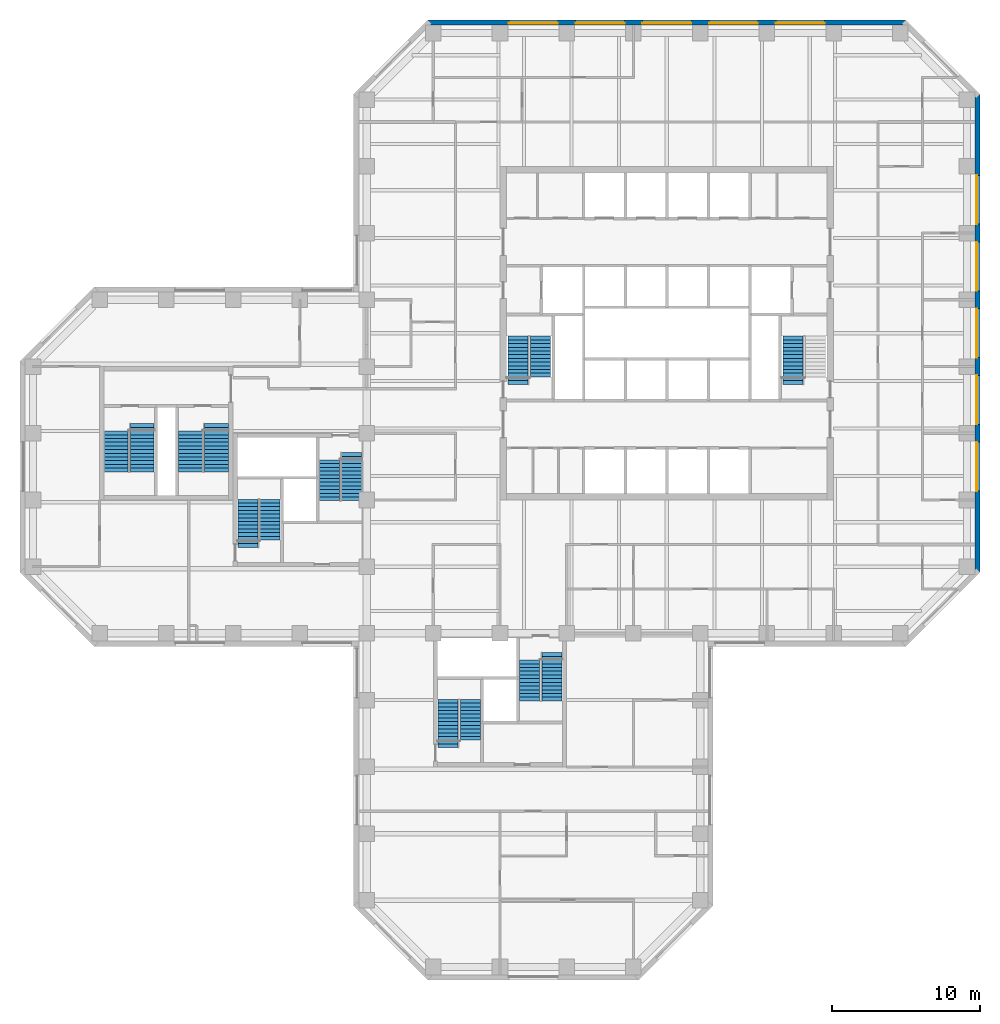
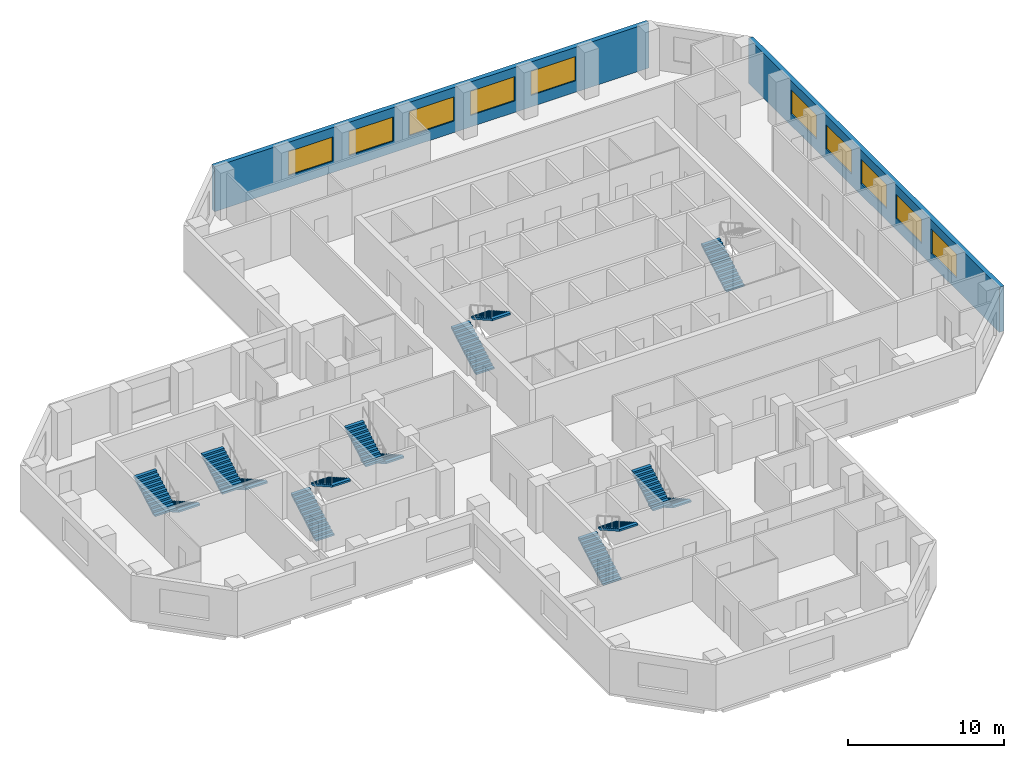
# One storey, part 9 of 11: 15 stair flights, 10 windows, 2 walls, 10 openings, 8 elements without a shape of their own.
"""IFC4 building model written with IfcOpenShell, lengths in metres."""

from ifc_helpers import new_model, si_unit, direction, frame, frame_2d, origin, place, context, subcontext, project, spatial, polyline, rectangle, outline, extrude, material, layer, layer_set, constituent, constituent_set, type_object, element, fill, aggregate, save


model = new_model("IFC4")

# Units and contexts
model_context = context("Model", 3, precision=1e-05, world=origin(), true_north=direction((0.0, 1.0)))
body_context = subcontext(model_context, "Body", "Model", "MODEL_VIEW")
ifc_project = project(units=[si_unit("LENGTHUNIT", "METRE"), si_unit("AREAUNIT", "SQUARE_METRE"), si_unit("VOLUMEUNIT", "CUBIC_METRE"), si_unit("PLANEANGLEUNIT", "RADIAN"), si_unit("MASSUNIT", "GRAM", prefix="KILO")], contexts=[model_context])

# Site, building, storey
site_placement = place(None, origin())
site = spatial("IfcSite", under=ifc_project, at=site_placement, CompositionType="ELEMENT")
building_placement = place(site_placement, origin())
building = spatial("IfcBuilding", under=site, at=building_placement, Name="Quoin Convention Tower", CompositionType="ELEMENT")
storey_placement = place(building_placement, frame((0.0, 0.0, 104.800048828125)))
storey = spatial("IfcBuildingStorey", under=building, at=storey_placement, Name="L27", CompositionType="ELEMENT", Elevation=104.800048828125)

# Wall, openings, windows
ifc_material_1 = material(Name="Brick masonry", Category="masonry")
ifc_layer = layer(ifc_material_1, 0.35009765625)
ifc_layer_set = layer_set([ifc_layer], Name="Brick masonry")
wall_type = type_object("IfcWallType", Name="Brick facade wall", PredefinedType="STANDARD", material=ifc_layer_set)
wall_1_placement = place(storey_placement, frame((77.199951171875, 44.6376953125, 0.0), z_axis=(0.0, 0.0, 1.0), x_axis=(0.0, 1.0, 0.0)))
wall_1 = element("IfcWall", 1, at=wall_1_placement, inside=storey, type_object=wall_type, Name="fw-L27-76500_45000", PredefinedType="STANDARD", context=body_context, shape_type="SweptSolid", body=[
    extrude(rectangle(XDim=32.224609375, YDim=0.35009765625, at=frame_2d((16.1123046875, 0.0))), origin(), (0.0, 0.0, 1.0), 3.52490234375),
])
opening_1_placement = place(wall_1_placement, frame((5.46240234375, 0.0, 0.89990234375)))
opening_1 = element("IfcOpeningElement", 2, at=opening_1_placement, cuts=wall_1, Name="Opening W-02", PredefinedType="OPENING", context=body_context, shape_type="SweptSolid", body=[
    extrude(rectangle(XDim=3.300048828125, YDim=1.89990234375, at=frame_2d((1.64990234375, 0.949951171875))), frame((0.0, 0.18505859375, 0.0), z_axis=(0.0, -1.0, 0.0), x_axis=(1.0, 0.0, 0.0)), (0.0, 0.0, 1.0), 0.3701171875),
])
opening_2_placement = place(wall_1_placement, frame((9.96240234375, 0.0, 0.89990234375)))
opening_2 = element("IfcOpeningElement", 3, at=opening_2_placement, cuts=wall_1, Name="Opening W-02", PredefinedType="OPENING", context=body_context, shape_type="SweptSolid", body=[
    extrude(rectangle(XDim=3.300048828125, YDim=1.89990234375, at=frame_2d((1.64990234375, 0.949951171875))), frame((0.0, 0.18505859375, 0.0), z_axis=(0.0, -1.0, 0.0), x_axis=(1.0, 0.0, 0.0)), (0.0, 0.0, 1.0), 0.3701171875),
])
opening_3_placement = place(wall_1_placement, frame((14.46240234375, 0.0, 0.89990234375)))
opening_3 = element("IfcOpeningElement", 4, at=opening_3_placement, cuts=wall_1, Name="Opening W-02", PredefinedType="OPENING", context=body_context, shape_type="SweptSolid", body=[
    extrude(rectangle(XDim=3.300048828125, YDim=1.89990234375, at=frame_2d((1.64990234375, 0.949951171875))), frame((0.0, 0.18505859375, 0.0), z_axis=(0.0, -1.0, 0.0), x_axis=(1.0, 0.0, 0.0)), (0.0, 0.0, 1.0), 0.3701171875),
])
opening_4_placement = place(wall_1_placement, frame((18.96240234375, 0.0, 0.89990234375)))
opening_4 = element("IfcOpeningElement", 5, at=opening_4_placement, cuts=wall_1, Name="Opening W-02", PredefinedType="OPENING", context=body_context, shape_type="SweptSolid", body=[
    extrude(rectangle(XDim=3.300048828125, YDim=1.89990234375, at=frame_2d((1.64990234375, 0.949951171875))), frame((0.0, 0.18505859375, 0.0), z_axis=(0.0, -1.0, 0.0), x_axis=(1.0, 0.0, 0.0)), (0.0, 0.0, 1.0), 0.3701171875),
])
opening_5_placement = place(wall_1_placement, frame((23.46240234375, 0.0, 0.89990234375)))
opening_5 = element("IfcOpeningElement", 6, at=opening_5_placement, cuts=wall_1, Name="Opening W-02", PredefinedType="OPENING", context=body_context, shape_type="SweptSolid", body=[
    extrude(rectangle(XDim=3.300048828125, YDim=1.89990234375, at=frame_2d((1.64990234375, 0.949951171875))), frame((0.0, 0.18505859375, 0.0), z_axis=(0.0, -1.0, 0.0), x_axis=(1.0, 0.0, 0.0)), (0.0, 0.0, 1.0), 0.3701171875),
])
ifc_material_2 = material(Name="Aluminium", Category="aluminium")
ifc_constituent_1 = constituent(ifc_material_2, Name="Frame")
ifc_material_3 = material(Name="Insulated glass", Category="glass")
ifc_constituent_2 = constituent(ifc_material_3, Name="Glazing")
ifc_constituent_set = constituent_set(constituents=[ifc_constituent_1, ifc_constituent_2], Name="Aluminium")
window_type = type_object("IfcWindowType", Name="Office window", PartitioningType="DOUBLE_PANEL_VERTICAL", PredefinedType="WINDOW", material=ifc_constituent_set)
window_1_placement = place(opening_1_placement, origin())
window_1 = element("IfcWindow", 7, at=window_1_placement, inside=storey, type_object=window_type, Name="win-L27-77200_51750", OverallHeight=1.89990234375, OverallWidth=3.300048828125, PartitioningType="SINGLE_PANEL", PredefinedType="WINDOW", context=body_context, shape_type="SweptSolid", body=[
    extrude(rectangle(XDim=3.300048828125, YDim=1.89990234375, at=frame_2d((1.64990234375, 0.949951171875))), frame((0.0, 0.0849609375, 0.0), z_axis=(0.0, -1.0, 0.0), x_axis=(1.0, 0.0, 0.0)), (0.0, 0.0, 1.0), 0.06005859375),
])
fill(opening_1, window_1)
window_2_placement = place(opening_2_placement, origin())
window_2 = element("IfcWindow", 8, at=window_2_placement, inside=storey, type_object=window_type, Name="win-L27-77200_56250", OverallHeight=1.89990234375, OverallWidth=3.300048828125, PartitioningType="SINGLE_PANEL", PredefinedType="WINDOW", context=body_context, shape_type="SweptSolid", body=[
    extrude(rectangle(XDim=3.300048828125, YDim=1.89990234375, at=frame_2d((1.64990234375, 0.949951171875))), frame((0.0, 0.0849609375, 0.0), z_axis=(0.0, -1.0, 0.0), x_axis=(1.0, 0.0, 0.0)), (0.0, 0.0, 1.0), 0.06005859375),
])
fill(opening_2, window_2)
window_3_placement = place(opening_3_placement, origin())
window_3 = element("IfcWindow", 9, at=window_3_placement, inside=storey, type_object=window_type, Name="win-L27-77200_60750", OverallHeight=1.89990234375, OverallWidth=3.300048828125, PartitioningType="SINGLE_PANEL", PredefinedType="WINDOW", context=body_context, shape_type="SweptSolid", body=[
    extrude(rectangle(XDim=3.300048828125, YDim=1.89990234375, at=frame_2d((1.64990234375, 0.949951171875))), frame((0.0, 0.0849609375, 0.0), z_axis=(0.0, -1.0, 0.0), x_axis=(1.0, 0.0, 0.0)), (0.0, 0.0, 1.0), 0.06005859375),
])
fill(opening_3, window_3)
window_4_placement = place(opening_4_placement, origin())
window_4 = element("IfcWindow", 10, at=window_4_placement, inside=storey, type_object=window_type, Name="win-L27-77200_65250", OverallHeight=1.89990234375, OverallWidth=3.300048828125, PartitioningType="SINGLE_PANEL", PredefinedType="WINDOW", context=body_context, shape_type="SweptSolid", body=[
    extrude(rectangle(XDim=3.300048828125, YDim=1.89990234375, at=frame_2d((1.64990234375, 0.949951171875))), frame((0.0, 0.0849609375, 0.0), z_axis=(0.0, -1.0, 0.0), x_axis=(1.0, 0.0, 0.0)), (0.0, 0.0, 1.0), 0.06005859375),
])
fill(opening_4, window_4)
window_5_placement = place(opening_5_placement, origin())
window_5 = element("IfcWindow", 11, at=window_5_placement, inside=storey, type_object=window_type, Name="win-L27-77200_69750", OverallHeight=1.89990234375, OverallWidth=3.300048828125, PartitioningType="SINGLE_PANEL", PredefinedType="WINDOW", context=body_context, shape_type="SweptSolid", body=[
    extrude(rectangle(XDim=3.300048828125, YDim=1.89990234375, at=frame_2d((1.64990234375, 0.949951171875))), frame((0.0, 0.0849609375, 0.0), z_axis=(0.0, -1.0, 0.0), x_axis=(1.0, 0.0, 0.0)), (0.0, 0.0, 1.0), 0.06005859375),
])
fill(opening_5, window_5)

wall_2_placement = place(storey_placement, frame((72.3623046875, 81.699951171875, 0.0), z_axis=(0.0, 0.0, 1.0), x_axis=(-1.0, 0.0, 0.0)))
wall_2 = element("IfcWall", 12, at=wall_2_placement, inside=storey, type_object=wall_type, Name="fw-L27-72000_81000", PredefinedType="STANDARD", context=body_context, shape_type="SweptSolid", body=[
    extrude(rectangle(XDim=32.224609375, YDim=0.35009765625, at=frame_2d((16.1123046875, 0.0))), origin(), (0.0, 0.0, 1.0), 3.52490234375),
])
opening_6_placement = place(wall_2_placement, frame((5.46240234375, 0.0, 0.89990234375)))
opening_6 = element("IfcOpeningElement", 13, at=opening_6_placement, cuts=wall_2, Name="Opening W-02", PredefinedType="OPENING", context=body_context, shape_type="SweptSolid", body=[
    extrude(rectangle(XDim=3.300048828125, YDim=1.89990234375, at=frame_2d((1.64990234375, 0.949951171875))), frame((0.0, 0.18505859375, 0.0), z_axis=(0.0, -1.0, 0.0), x_axis=(1.0, 0.0, 0.0)), (0.0, 0.0, 1.0), 0.3701171875),
])
opening_7_placement = place(wall_2_placement, frame((9.96240234375, 0.0, 0.89990234375)))
opening_7 = element("IfcOpeningElement", 14, at=opening_7_placement, cuts=wall_2, Name="Opening W-02", PredefinedType="OPENING", context=body_context, shape_type="SweptSolid", body=[
    extrude(rectangle(XDim=3.300048828125, YDim=1.89990234375, at=frame_2d((1.64990234375, 0.949951171875))), frame((0.0, 0.18505859375, 0.0), z_axis=(0.0, -1.0, 0.0), x_axis=(1.0, 0.0, 0.0)), (0.0, 0.0, 1.0), 0.3701171875),
])
opening_8_placement = place(wall_2_placement, frame((14.46240234375, 0.0, 0.89990234375)))
opening_8 = element("IfcOpeningElement", 15, at=opening_8_placement, cuts=wall_2, Name="Opening W-02", PredefinedType="OPENING", context=body_context, shape_type="SweptSolid", body=[
    extrude(rectangle(XDim=3.300048828125, YDim=1.89990234375, at=frame_2d((1.64990234375, 0.949951171875))), frame((0.0, 0.18505859375, 0.0), z_axis=(0.0, -1.0, 0.0), x_axis=(1.0, 0.0, 0.0)), (0.0, 0.0, 1.0), 0.3701171875),
])
opening_9_placement = place(wall_2_placement, frame((18.96240234375, 0.0, 0.89990234375)))
opening_9 = element("IfcOpeningElement", 16, at=opening_9_placement, cuts=wall_2, Name="Opening W-02", PredefinedType="OPENING", context=body_context, shape_type="SweptSolid", body=[
    extrude(rectangle(XDim=3.300048828125, YDim=1.89990234375, at=frame_2d((1.64990234375, 0.949951171875))), frame((0.0, 0.18505859375, 0.0), z_axis=(0.0, -1.0, 0.0), x_axis=(1.0, 0.0, 0.0)), (0.0, 0.0, 1.0), 0.3701171875),
])
opening_10_placement = place(wall_2_placement, frame((23.46240234375, 0.0, 0.89990234375)))
opening_10 = element("IfcOpeningElement", 17, at=opening_10_placement, cuts=wall_2, Name="Opening W-02", PredefinedType="OPENING", context=body_context, shape_type="SweptSolid", body=[
    extrude(rectangle(XDim=3.300048828125, YDim=1.89990234375, at=frame_2d((1.64990234375, 0.949951171875))), frame((0.0, 0.18505859375, 0.0), z_axis=(0.0, -1.0, 0.0), x_axis=(1.0, 0.0, 0.0)), (0.0, 0.0, 1.0), 0.3701171875),
])
window_6_placement = place(opening_6_placement, origin())
window_6 = element("IfcWindow", 18, at=window_6_placement, inside=storey, type_object=window_type, Name="win-L27-65250_81700", OverallHeight=1.89990234375, OverallWidth=3.300048828125, PartitioningType="SINGLE_PANEL", PredefinedType="WINDOW", context=body_context, shape_type="SweptSolid", body=[
    extrude(rectangle(XDim=3.300048828125, YDim=1.89990234375, at=frame_2d((1.64990234375, 0.949951171875))), frame((0.0, 0.0849609375, 0.0), z_axis=(0.0, -1.0, 0.0), x_axis=(1.0, 0.0, 0.0)), (0.0, 0.0, 1.0), 0.06005859375),
])
fill(opening_6, window_6)
window_7_placement = place(opening_7_placement, origin())
window_7 = element("IfcWindow", 19, at=window_7_placement, inside=storey, type_object=window_type, Name="win-L27-60750_81700", OverallHeight=1.89990234375, OverallWidth=3.300048828125, PartitioningType="SINGLE_PANEL", PredefinedType="WINDOW", context=body_context, shape_type="SweptSolid", body=[
    extrude(rectangle(XDim=3.300048828125, YDim=1.89990234375, at=frame_2d((1.64990234375, 0.949951171875))), frame((0.0, 0.0849609375, 0.0), z_axis=(0.0, -1.0, 0.0), x_axis=(1.0, 0.0, 0.0)), (0.0, 0.0, 1.0), 0.06005859375),
])
fill(opening_7, window_7)
window_8_placement = place(opening_8_placement, origin())
window_8 = element("IfcWindow", 20, at=window_8_placement, inside=storey, type_object=window_type, Name="win-L27-56250_81700", OverallHeight=1.89990234375, OverallWidth=3.300048828125, PartitioningType="SINGLE_PANEL", PredefinedType="WINDOW", context=body_context, shape_type="SweptSolid", body=[
    extrude(rectangle(XDim=3.300048828125, YDim=1.89990234375, at=frame_2d((1.64990234375, 0.949951171875))), frame((0.0, 0.0849609375, 0.0), z_axis=(0.0, -1.0, 0.0), x_axis=(1.0, 0.0, 0.0)), (0.0, 0.0, 1.0), 0.06005859375),
])
fill(opening_8, window_8)
window_9_placement = place(opening_9_placement, origin())
window_9 = element("IfcWindow", 21, at=window_9_placement, inside=storey, type_object=window_type, Name="win-L27-51750_81700", OverallHeight=1.89990234375, OverallWidth=3.300048828125, PartitioningType="SINGLE_PANEL", PredefinedType="WINDOW", context=body_context, shape_type="SweptSolid", body=[
    extrude(rectangle(XDim=3.300048828125, YDim=1.89990234375, at=frame_2d((1.64990234375, 0.949951171875))), frame((0.0, 0.0849609375, 0.0), z_axis=(0.0, -1.0, 0.0), x_axis=(1.0, 0.0, 0.0)), (0.0, 0.0, 1.0), 0.06005859375),
])
fill(opening_9, window_9)
window_10_placement = place(opening_10_placement, origin())
window_10 = element("IfcWindow", 22, at=window_10_placement, inside=storey, type_object=window_type, Name="win-L27-47250_81700", OverallHeight=1.89990234375, OverallWidth=3.300048828125, PartitioningType="SINGLE_PANEL", PredefinedType="WINDOW", context=body_context, shape_type="SweptSolid", body=[
    extrude(rectangle(XDim=3.300048828125, YDim=1.89990234375, at=frame_2d((1.64990234375, 0.949951171875))), frame((0.0, 0.0849609375, 0.0), z_axis=(0.0, -1.0, 0.0), x_axis=(1.0, 0.0, 0.0)), (0.0, 0.0, 1.0), 0.06005859375),
])
fill(opening_10, window_10)

# Stair, stair flights
ifc_material_4 = material(Name="Concrete C40", Category="concrete")
stair_type_1 = type_object("IfcStairType", Name="Exit stair two-flight 1350", PredefinedType="HALF_TURN_STAIR", material=ifc_material_4)
stair_1_placement = place(storey_placement, origin())
stair_1 = element("IfcStair", 23, at=stair_1_placement, inside=storey, type_object=stair_type_1, Name="SD1 L27", PredefinedType="HALF_TURN_STAIR")
stair_flight_type_1 = type_object("IfcStairFlightType", Name="Stair flight 1350", PredefinedType="STRAIGHT", material=ifc_material_4)
stair_flight_1_placement = place(storey_placement, frame((46.22509765625, 57.300048828125, 0.0), z_axis=(0.0, 0.0, 1.0), x_axis=(0.0, 1.0, 0.0)))
stair_flight_1 = element("IfcStairFlight", 24, at=stair_flight_1_placement, type_object=stair_flight_type_1, Name="ST1 flight 1", NumberOfRisers=14, NumberOfTreads=13, PredefinedType="STRAIGHT", RiserHeight=0.142307692, TreadLength=0.25, context=body_context, shape_type="SweptSolid", body=[
    extrude(outline(polyline([(0.0, 0.0), (0.0, 0.142333984375), (0.25, 0.142333984375), (0.25, 0.28466796875), (0.5, 0.28466796875), (0.5, 0.427001953125), (0.75, 0.427001953125), (0.75, 0.5693359375), (1.0, 0.5693359375), (1.0, 0.71142578125), (1.25, 0.71142578125), (1.25, 0.853759765625), (1.5, 0.853759765625), (1.5, 0.99609375), (1.75, 0.99609375), (1.75, 1.138427734375), (2.0, 1.138427734375), (2.0, 1.28076171875), (2.25, 1.28076171875), (2.25, 1.423095703125), (2.5, 1.423095703125), (2.5, 1.5654296875), (2.75, 1.5654296875), (2.75, 1.707763671875), (3.0, 1.707763671875), (3.0, 1.85009765625), (3.25, 1.85009765625), (3.25, 1.9921875), (3.25, 1.711669921875), (0.242919921875, 0.0), (0.0, 0.0)])), frame((0.0, 0.675048828125, 0.0), z_axis=(0.0, -1.0, 0.0), x_axis=(1.0, 0.0, 0.0)), (0.0, 0.0, 1.0), 1.35009765625),
])
stair_flight_2_placement = place(storey_placement, frame((47.72509765625, 60.550048828125, 1.9921875), z_axis=(0.0, 0.0, 1.0), x_axis=(0.0, -1.0, 0.0)))
stair_flight_2 = element("IfcStairFlight", 25, at=stair_flight_2_placement, type_object=stair_flight_type_1, Name="ST1 flight 2", NumberOfRisers=12, NumberOfTreads=11, PredefinedType="STRAIGHT", RiserHeight=0.142307692, TreadLength=0.25, context=body_context, shape_type="SweptSolid", body=[
    extrude(outline(polyline([(0.0, 0.0), (0.0, 0.142333984375), (0.25, 0.142333984375), (0.25, 0.28466796875), (0.5, 0.28466796875), (0.5, 0.427001953125), (0.75, 0.427001953125), (0.75, 0.5693359375), (1.0, 0.5693359375), (1.0, 0.71142578125), (1.25, 0.71142578125), (1.25, 0.853759765625), (1.5, 0.853759765625), (1.5, 0.99609375), (1.75, 0.99609375), (1.75, 1.138427734375), (2.0, 1.138427734375), (2.0, 1.28076171875), (2.25, 1.28076171875), (2.25, 1.423095703125), (2.5, 1.423095703125), (2.5, 1.5654296875), (2.75, 1.5654296875), (2.75, 1.707763671875), (2.75, 1.42724609375), (0.242919921875, 0.0), (0.0, 0.0)])), frame((0.0, 0.675048828125, 0.0), z_axis=(0.0, -1.0, 0.0), x_axis=(1.0, 0.0, 0.0)), (0.0, 0.0, 1.0), 1.35009765625),
])
aggregate(stair_1, [stair_flight_1, stair_flight_2])

# Stair, stair flight
stair_2_placement = place(storey_placement, origin())
stair_2 = element("IfcStair", 26, at=stair_2_placement, inside=storey, type_object=stair_type_1, Name="SD2 L27", PredefinedType="HALF_TURN_STAIR")
stair_flight_3_placement = place(storey_placement, frame((64.77490234375, 57.300048828125, 0.0), z_axis=(0.0, 0.0, 1.0), x_axis=(0.0, 1.0, 0.0)))
stair_flight_3 = element("IfcStairFlight", 27, at=stair_flight_3_placement, type_object=stair_flight_type_1, Name="ST2 flight 1", NumberOfRisers=14, NumberOfTreads=13, PredefinedType="STRAIGHT", RiserHeight=0.142307692, TreadLength=0.25, context=body_context, shape_type="SweptSolid", body=[
    extrude(outline(polyline([(0.0, 0.0), (0.0, 0.142333984375), (0.25, 0.142333984375), (0.25, 0.28466796875), (0.5, 0.28466796875), (0.5, 0.427001953125), (0.75, 0.427001953125), (0.75, 0.5693359375), (1.0, 0.5693359375), (1.0, 0.71142578125), (1.25, 0.71142578125), (1.25, 0.853759765625), (1.5, 0.853759765625), (1.5, 0.99609375), (1.75, 0.99609375), (1.75, 1.138427734375), (2.0, 1.138427734375), (2.0, 1.28076171875), (2.25, 1.28076171875), (2.25, 1.423095703125), (2.5, 1.423095703125), (2.5, 1.5654296875), (2.75, 1.5654296875), (2.75, 1.707763671875), (3.0, 1.707763671875), (3.0, 1.85009765625), (3.25, 1.85009765625), (3.25, 1.9921875), (3.25, 1.711669921875), (0.242919921875, 0.0), (0.0, 0.0)])), frame((0.0, 0.675048828125, 0.0), z_axis=(0.0, -1.0, 0.0), x_axis=(1.0, 0.0, 0.0)), (0.0, 0.0, 1.0), 1.35009765625),
])
aggregate(stair_2, [stair_flight_3])

# Stair, stair flights
stair_3_placement = place(storey_placement, origin())
stair_3 = element("IfcStair", 28, at=stair_3_placement, inside=storey, type_object=stair_type_1, Name="SD3 L27", PredefinedType="HALF_TURN_STAIR")
stair_flight_4_placement = place(storey_placement, frame((28.0, 46.300048828125, 0.0), z_axis=(0.0, 0.0, 1.0), x_axis=(0.0, 1.0, 0.0)))
stair_flight_4 = element("IfcStairFlight", 29, at=stair_flight_4_placement, type_object=stair_flight_type_1, Name="ST3 flight 1", NumberOfRisers=14, NumberOfTreads=13, PredefinedType="STRAIGHT", RiserHeight=0.142307692, TreadLength=0.25, context=body_context, shape_type="SweptSolid", body=[
    extrude(outline(polyline([(0.0, 0.0), (0.0, 0.142333984375), (0.25, 0.142333984375), (0.25, 0.28466796875), (0.5, 0.28466796875), (0.5, 0.427001953125), (0.75, 0.427001953125), (0.75, 0.5693359375), (1.0, 0.5693359375), (1.0, 0.71142578125), (1.25, 0.71142578125), (1.25, 0.853759765625), (1.5, 0.853759765625), (1.5, 0.99609375), (1.75, 0.99609375), (1.75, 1.138427734375), (2.0, 1.138427734375), (2.0, 1.28076171875), (2.25, 1.28076171875), (2.25, 1.423095703125), (2.5, 1.423095703125), (2.5, 1.5654296875), (2.75, 1.5654296875), (2.75, 1.707763671875), (3.0, 1.707763671875), (3.0, 1.85009765625), (3.25, 1.85009765625), (3.25, 1.9921875), (3.25, 1.711669921875), (0.242919921875, 0.0), (0.0, 0.0)])), frame((0.0, 0.675048828125, 0.0), z_axis=(0.0, -1.0, 0.0), x_axis=(1.0, 0.0, 0.0)), (0.0, 0.0, 1.0), 1.35009765625),
])
stair_flight_5_placement = place(storey_placement, frame((29.5, 49.550048828125, 1.9921875), z_axis=(0.0, 0.0, 1.0), x_axis=(0.0, -1.0, 0.0)))
stair_flight_5 = element("IfcStairFlight", 30, at=stair_flight_5_placement, type_object=stair_flight_type_1, Name="ST3 flight 2", NumberOfRisers=12, NumberOfTreads=11, PredefinedType="STRAIGHT", RiserHeight=0.142307692, TreadLength=0.25, context=body_context, shape_type="SweptSolid", body=[
    extrude(outline(polyline([(0.0, 0.0), (0.0, 0.142333984375), (0.25, 0.142333984375), (0.25, 0.28466796875), (0.5, 0.28466796875), (0.5, 0.427001953125), (0.75, 0.427001953125), (0.75, 0.5693359375), (1.0, 0.5693359375), (1.0, 0.71142578125), (1.25, 0.71142578125), (1.25, 0.853759765625), (1.5, 0.853759765625), (1.5, 0.99609375), (1.75, 0.99609375), (1.75, 1.138427734375), (2.0, 1.138427734375), (2.0, 1.28076171875), (2.25, 1.28076171875), (2.25, 1.423095703125), (2.5, 1.423095703125), (2.5, 1.5654296875), (2.75, 1.5654296875), (2.75, 1.707763671875), (2.75, 1.42724609375), (0.242919921875, 0.0), (0.0, 0.0)])), frame((0.0, 0.675048828125, 0.0), z_axis=(0.0, -1.0, 0.0), x_axis=(1.0, 0.0, 0.0)), (0.0, 0.0, 1.0), 1.35009765625),
])
aggregate(stair_3, [stair_flight_4, stair_flight_5])

stair_4_placement = place(storey_placement, origin())
stair_4 = element("IfcStair", 31, at=stair_4_placement, inside=storey, type_object=stair_type_1, Name="SD4 L27", PredefinedType="HALF_TURN_STAIR")
stair_flight_6_placement = place(storey_placement, frame((35.0, 52.699951171875, 0.0), z_axis=(0.0, 0.0, 1.0), x_axis=(0.0, -1.0, 0.0)))
stair_flight_6 = element("IfcStairFlight", 32, at=stair_flight_6_placement, type_object=stair_flight_type_1, Name="ST4 flight 1", NumberOfRisers=14, NumberOfTreads=13, PredefinedType="STRAIGHT", RiserHeight=0.142307692, TreadLength=0.25, context=body_context, shape_type="SweptSolid", body=[
    extrude(outline(polyline([(0.0, 0.0), (0.0, 0.142333984375), (0.25, 0.142333984375), (0.25, 0.28466796875), (0.5, 0.28466796875), (0.5, 0.427001953125), (0.75, 0.427001953125), (0.75, 0.5693359375), (1.0, 0.5693359375), (1.0, 0.71142578125), (1.25, 0.71142578125), (1.25, 0.853759765625), (1.5, 0.853759765625), (1.5, 0.99609375), (1.75, 0.99609375), (1.75, 1.138427734375), (2.0, 1.138427734375), (2.0, 1.28076171875), (2.25, 1.28076171875), (2.25, 1.423095703125), (2.5, 1.423095703125), (2.5, 1.5654296875), (2.75, 1.5654296875), (2.75, 1.707763671875), (3.0, 1.707763671875), (3.0, 1.85009765625), (3.25, 1.85009765625), (3.25, 1.9921875), (3.25, 1.711669921875), (0.242919921875, 0.0), (0.0, 0.0)])), frame((0.0, 0.675048828125, 0.0), z_axis=(0.0, -1.0, 0.0), x_axis=(1.0, 0.0, 0.0)), (0.0, 0.0, 1.0), 1.35009765625),
])
stair_flight_7_placement = place(storey_placement, frame((33.5, 49.449951171875, 1.9921875), z_axis=(0.0, 0.0, 1.0), x_axis=(0.0, 1.0, 0.0)))
stair_flight_7 = element("IfcStairFlight", 33, at=stair_flight_7_placement, type_object=stair_flight_type_1, Name="ST4 flight 2", NumberOfRisers=12, NumberOfTreads=11, PredefinedType="STRAIGHT", RiserHeight=0.142307692, TreadLength=0.25, context=body_context, shape_type="SweptSolid", body=[
    extrude(outline(polyline([(0.0, 0.0), (0.0, 0.142333984375), (0.25, 0.142333984375), (0.25, 0.28466796875), (0.5, 0.28466796875), (0.5, 0.427001953125), (0.75, 0.427001953125), (0.75, 0.5693359375), (1.0, 0.5693359375), (1.0, 0.71142578125), (1.25, 0.71142578125), (1.25, 0.853759765625), (1.5, 0.853759765625), (1.5, 0.99609375), (1.75, 0.99609375), (1.75, 1.138427734375), (2.0, 1.138427734375), (2.0, 1.28076171875), (2.25, 1.28076171875), (2.25, 1.423095703125), (2.5, 1.423095703125), (2.5, 1.5654296875), (2.75, 1.5654296875), (2.75, 1.707763671875), (2.75, 1.42724609375), (0.242919921875, 0.0), (0.0, 0.0)])), frame((0.0, 0.675048828125, 0.0), z_axis=(0.0, -1.0, 0.0), x_axis=(1.0, 0.0, 0.0)), (0.0, 0.0, 1.0), 1.35009765625),
])
aggregate(stair_4, [stair_flight_6, stair_flight_7])

stair_5_placement = place(storey_placement, origin())
stair_5 = element("IfcStair", 34, at=stair_5_placement, inside=storey, type_object=stair_type_1, Name="SD5 L27", PredefinedType="HALF_TURN_STAIR")
stair_flight_8_placement = place(storey_placement, frame((41.5, 32.800048828125, 0.0), z_axis=(0.0, 0.0, 1.0), x_axis=(0.0, 1.0, 0.0)))
stair_flight_8 = element("IfcStairFlight", 35, at=stair_flight_8_placement, type_object=stair_flight_type_1, Name="ST5 flight 1", NumberOfRisers=14, NumberOfTreads=13, PredefinedType="STRAIGHT", RiserHeight=0.142307692, TreadLength=0.25, context=body_context, shape_type="SweptSolid", body=[
    extrude(outline(polyline([(0.0, 0.0), (0.0, 0.142333984375), (0.25, 0.142333984375), (0.25, 0.28466796875), (0.5, 0.28466796875), (0.5, 0.427001953125), (0.75, 0.427001953125), (0.75, 0.5693359375), (1.0, 0.5693359375), (1.0, 0.71142578125), (1.25, 0.71142578125), (1.25, 0.853759765625), (1.5, 0.853759765625), (1.5, 0.99609375), (1.75, 0.99609375), (1.75, 1.138427734375), (2.0, 1.138427734375), (2.0, 1.28076171875), (2.25, 1.28076171875), (2.25, 1.423095703125), (2.5, 1.423095703125), (2.5, 1.5654296875), (2.75, 1.5654296875), (2.75, 1.707763671875), (3.0, 1.707763671875), (3.0, 1.85009765625), (3.25, 1.85009765625), (3.25, 1.9921875), (3.25, 1.711669921875), (0.242919921875, 0.0), (0.0, 0.0)])), frame((0.0, 0.675048828125, 0.0), z_axis=(0.0, -1.0, 0.0), x_axis=(1.0, 0.0, 0.0)), (0.0, 0.0, 1.0), 1.35009765625),
])
stair_flight_9_placement = place(storey_placement, frame((43.0, 36.050048828125, 1.9921875), z_axis=(0.0, 0.0, 1.0), x_axis=(0.0, -1.0, 0.0)))
stair_flight_9 = element("IfcStairFlight", 36, at=stair_flight_9_placement, type_object=stair_flight_type_1, Name="ST5 flight 2", NumberOfRisers=12, NumberOfTreads=11, PredefinedType="STRAIGHT", RiserHeight=0.142307692, TreadLength=0.25, context=body_context, shape_type="SweptSolid", body=[
    extrude(outline(polyline([(0.0, 0.0), (0.0, 0.142333984375), (0.25, 0.142333984375), (0.25, 0.28466796875), (0.5, 0.28466796875), (0.5, 0.427001953125), (0.75, 0.427001953125), (0.75, 0.5693359375), (1.0, 0.5693359375), (1.0, 0.71142578125), (1.25, 0.71142578125), (1.25, 0.853759765625), (1.5, 0.853759765625), (1.5, 0.99609375), (1.75, 0.99609375), (1.75, 1.138427734375), (2.0, 1.138427734375), (2.0, 1.28076171875), (2.25, 1.28076171875), (2.25, 1.423095703125), (2.5, 1.423095703125), (2.5, 1.5654296875), (2.75, 1.5654296875), (2.75, 1.707763671875), (2.75, 1.42724609375), (0.242919921875, 0.0), (0.0, 0.0)])), frame((0.0, 0.675048828125, 0.0), z_axis=(0.0, -1.0, 0.0), x_axis=(1.0, 0.0, 0.0)), (0.0, 0.0, 1.0), 1.35009765625),
])
aggregate(stair_5, [stair_flight_8, stair_flight_9])

stair_6_placement = place(storey_placement, origin())
stair_6 = element("IfcStair", 37, at=stair_6_placement, inside=storey, type_object=stair_type_1, Name="SD6 L27", PredefinedType="HALF_TURN_STAIR")
stair_flight_10_placement = place(storey_placement, frame((48.5, 39.199951171875, 0.0), z_axis=(0.0, 0.0, 1.0), x_axis=(0.0, -1.0, 0.0)))
stair_flight_10 = element("IfcStairFlight", 38, at=stair_flight_10_placement, type_object=stair_flight_type_1, Name="ST6 flight 1", NumberOfRisers=14, NumberOfTreads=13, PredefinedType="STRAIGHT", RiserHeight=0.142307692, TreadLength=0.25, context=body_context, shape_type="SweptSolid", body=[
    extrude(outline(polyline([(0.0, 0.0), (0.0, 0.142333984375), (0.25, 0.142333984375), (0.25, 0.28466796875), (0.5, 0.28466796875), (0.5, 0.427001953125), (0.75, 0.427001953125), (0.75, 0.5693359375), (1.0, 0.5693359375), (1.0, 0.71142578125), (1.25, 0.71142578125), (1.25, 0.853759765625), (1.5, 0.853759765625), (1.5, 0.99609375), (1.75, 0.99609375), (1.75, 1.138427734375), (2.0, 1.138427734375), (2.0, 1.28076171875), (2.25, 1.28076171875), (2.25, 1.423095703125), (2.5, 1.423095703125), (2.5, 1.5654296875), (2.75, 1.5654296875), (2.75, 1.707763671875), (3.0, 1.707763671875), (3.0, 1.85009765625), (3.25, 1.85009765625), (3.25, 1.9921875), (3.25, 1.711669921875), (0.242919921875, 0.0), (0.0, 0.0)])), frame((0.0, 0.675048828125, 0.0), z_axis=(0.0, -1.0, 0.0), x_axis=(1.0, 0.0, 0.0)), (0.0, 0.0, 1.0), 1.35009765625),
])
stair_flight_11_placement = place(storey_placement, frame((47.0, 35.949951171875, 1.9921875), z_axis=(0.0, 0.0, 1.0), x_axis=(0.0, 1.0, 0.0)))
stair_flight_11 = element("IfcStairFlight", 39, at=stair_flight_11_placement, type_object=stair_flight_type_1, Name="ST6 flight 2", NumberOfRisers=12, NumberOfTreads=11, PredefinedType="STRAIGHT", RiserHeight=0.142307692, TreadLength=0.25, context=body_context, shape_type="SweptSolid", body=[
    extrude(outline(polyline([(0.0, 0.0), (0.0, 0.142333984375), (0.25, 0.142333984375), (0.25, 0.28466796875), (0.5, 0.28466796875), (0.5, 0.427001953125), (0.75, 0.427001953125), (0.75, 0.5693359375), (1.0, 0.5693359375), (1.0, 0.71142578125), (1.25, 0.71142578125), (1.25, 0.853759765625), (1.5, 0.853759765625), (1.5, 0.99609375), (1.75, 0.99609375), (1.75, 1.138427734375), (2.0, 1.138427734375), (2.0, 1.28076171875), (2.25, 1.28076171875), (2.25, 1.423095703125), (2.5, 1.423095703125), (2.5, 1.5654296875), (2.75, 1.5654296875), (2.75, 1.707763671875), (2.75, 1.42724609375), (0.242919921875, 0.0), (0.0, 0.0)])), frame((0.0, 0.675048828125, 0.0), z_axis=(0.0, -1.0, 0.0), x_axis=(1.0, 0.0, 0.0)), (0.0, 0.0, 1.0), 1.35009765625),
])
aggregate(stair_6, [stair_flight_10, stair_flight_11])

stair_type_2 = type_object("IfcStairType", Name="Exit stair two-flight 1600", PredefinedType="HALF_TURN_STAIR", material=ifc_material_4)
stair_7_placement = place(storey_placement, origin())
stair_7 = element("IfcStair", 40, at=stair_7_placement, inside=storey, type_object=stair_type_2, Name="SD11 L27", PredefinedType="HALF_TURN_STAIR")
stair_flight_type_2 = type_object("IfcStairFlightType", Name="Stair flight 1600", PredefinedType="STRAIGHT", material=ifc_material_4)
stair_flight_12_placement = place(storey_placement, frame((20.875, 54.64990234375, 0.0), z_axis=(0.0, 0.0, 1.0), x_axis=(0.0, -1.0, 0.0)))
stair_flight_12 = element("IfcStairFlight", 41, at=stair_flight_12_placement, type_object=stair_flight_type_2, Name="ST11 flight 1", NumberOfRisers=14, NumberOfTreads=13, PredefinedType="STRAIGHT", RiserHeight=0.142307692, TreadLength=0.25, context=body_context, shape_type="SweptSolid", body=[
    extrude(outline(polyline([(0.0, 0.0), (0.0, 0.142333984375), (0.25, 0.142333984375), (0.25, 0.28466796875), (0.5, 0.28466796875), (0.5, 0.427001953125), (0.75, 0.427001953125), (0.75, 0.5693359375), (1.0, 0.5693359375), (1.0, 0.71142578125), (1.25, 0.71142578125), (1.25, 0.853759765625), (1.5, 0.853759765625), (1.5, 0.99609375), (1.75, 0.99609375), (1.75, 1.138427734375), (2.0, 1.138427734375), (2.0, 1.28076171875), (2.25, 1.28076171875), (2.25, 1.423095703125), (2.5, 1.423095703125), (2.5, 1.5654296875), (2.75, 1.5654296875), (2.75, 1.707763671875), (3.0, 1.707763671875), (3.0, 1.85009765625), (3.25, 1.85009765625), (3.25, 1.9921875), (3.25, 1.711669921875), (0.242919921875, 0.0), (0.0, 0.0)])), frame((0.0, 0.800048828125, 0.0), z_axis=(0.0, -1.0, 0.0), x_axis=(1.0, 0.0, 0.0)), (0.0, 0.0, 1.0), 1.60009765625),
])
stair_flight_13_placement = place(storey_placement, frame((19.125, 51.39990234375, 1.9921875), z_axis=(0.0, 0.0, 1.0), x_axis=(0.0, 1.0, 0.0)))
stair_flight_13 = element("IfcStairFlight", 42, at=stair_flight_13_placement, type_object=stair_flight_type_2, Name="ST11 flight 2", NumberOfRisers=12, NumberOfTreads=11, PredefinedType="STRAIGHT", RiserHeight=0.142307692, TreadLength=0.25, context=body_context, shape_type="SweptSolid", body=[
    extrude(outline(polyline([(0.0, 0.0), (0.0, 0.142333984375), (0.25, 0.142333984375), (0.25, 0.28466796875), (0.5, 0.28466796875), (0.5, 0.427001953125), (0.75, 0.427001953125), (0.75, 0.5693359375), (1.0, 0.5693359375), (1.0, 0.71142578125), (1.25, 0.71142578125), (1.25, 0.853759765625), (1.5, 0.853759765625), (1.5, 0.99609375), (1.75, 0.99609375), (1.75, 1.138427734375), (2.0, 1.138427734375), (2.0, 1.28076171875), (2.25, 1.28076171875), (2.25, 1.423095703125), (2.5, 1.423095703125), (2.5, 1.5654296875), (2.75, 1.5654296875), (2.75, 1.707763671875), (2.75, 1.42724609375), (0.242919921875, 0.0), (0.0, 0.0)])), frame((0.0, 0.800048828125, 0.0), z_axis=(0.0, -1.0, 0.0), x_axis=(1.0, 0.0, 0.0)), (0.0, 0.0, 1.0), 1.60009765625),
])
aggregate(stair_7, [stair_flight_12, stair_flight_13])

stair_8_placement = place(storey_placement, origin())
stair_8 = element("IfcStair", 43, at=stair_8_placement, inside=storey, type_object=stair_type_2, Name="SD12 L27", PredefinedType="HALF_TURN_STAIR")
stair_flight_14_placement = place(storey_placement, frame((25.875, 54.64990234375, 0.0), z_axis=(0.0, 0.0, 1.0), x_axis=(0.0, -1.0, 0.0)))
stair_flight_14 = element("IfcStairFlight", 44, at=stair_flight_14_placement, type_object=stair_flight_type_2, Name="ST12 flight 1", NumberOfRisers=14, NumberOfTreads=13, PredefinedType="STRAIGHT", RiserHeight=0.142307692, TreadLength=0.25, context=body_context, shape_type="SweptSolid", body=[
    extrude(outline(polyline([(0.0, 0.0), (0.0, 0.142333984375), (0.25, 0.142333984375), (0.25, 0.28466796875), (0.5, 0.28466796875), (0.5, 0.427001953125), (0.75, 0.427001953125), (0.75, 0.5693359375), (1.0, 0.5693359375), (1.0, 0.71142578125), (1.25, 0.71142578125), (1.25, 0.853759765625), (1.5, 0.853759765625), (1.5, 0.99609375), (1.75, 0.99609375), (1.75, 1.138427734375), (2.0, 1.138427734375), (2.0, 1.28076171875), (2.25, 1.28076171875), (2.25, 1.423095703125), (2.5, 1.423095703125), (2.5, 1.5654296875), (2.75, 1.5654296875), (2.75, 1.707763671875), (3.0, 1.707763671875), (3.0, 1.85009765625), (3.25, 1.85009765625), (3.25, 1.9921875), (3.25, 1.711669921875), (0.242919921875, 0.0), (0.0, 0.0)])), frame((0.0, 0.800048828125, 0.0), z_axis=(0.0, -1.0, 0.0), x_axis=(1.0, 0.0, 0.0)), (0.0, 0.0, 1.0), 1.60009765625),
])
stair_flight_15_placement = place(storey_placement, frame((24.125, 51.39990234375, 1.9921875), z_axis=(0.0, 0.0, 1.0), x_axis=(0.0, 1.0, 0.0)))
stair_flight_15 = element("IfcStairFlight", 45, at=stair_flight_15_placement, type_object=stair_flight_type_2, Name="ST12 flight 2", NumberOfRisers=12, NumberOfTreads=11, PredefinedType="STRAIGHT", RiserHeight=0.142307692, TreadLength=0.25, context=body_context, shape_type="SweptSolid", body=[
    extrude(outline(polyline([(0.0, 0.0), (0.0, 0.142333984375), (0.25, 0.142333984375), (0.25, 0.28466796875), (0.5, 0.28466796875), (0.5, 0.427001953125), (0.75, 0.427001953125), (0.75, 0.5693359375), (1.0, 0.5693359375), (1.0, 0.71142578125), (1.25, 0.71142578125), (1.25, 0.853759765625), (1.5, 0.853759765625), (1.5, 0.99609375), (1.75, 0.99609375), (1.75, 1.138427734375), (2.0, 1.138427734375), (2.0, 1.28076171875), (2.25, 1.28076171875), (2.25, 1.423095703125), (2.5, 1.423095703125), (2.5, 1.5654296875), (2.75, 1.5654296875), (2.75, 1.707763671875), (2.75, 1.42724609375), (0.242919921875, 0.0), (0.0, 0.0)])), frame((0.0, 0.800048828125, 0.0), z_axis=(0.0, -1.0, 0.0), x_axis=(1.0, 0.0, 0.0)), (0.0, 0.0, 1.0), 1.60009765625),
])
aggregate(stair_8, [stair_flight_14, stair_flight_15])

save(model, "model.ifc")
